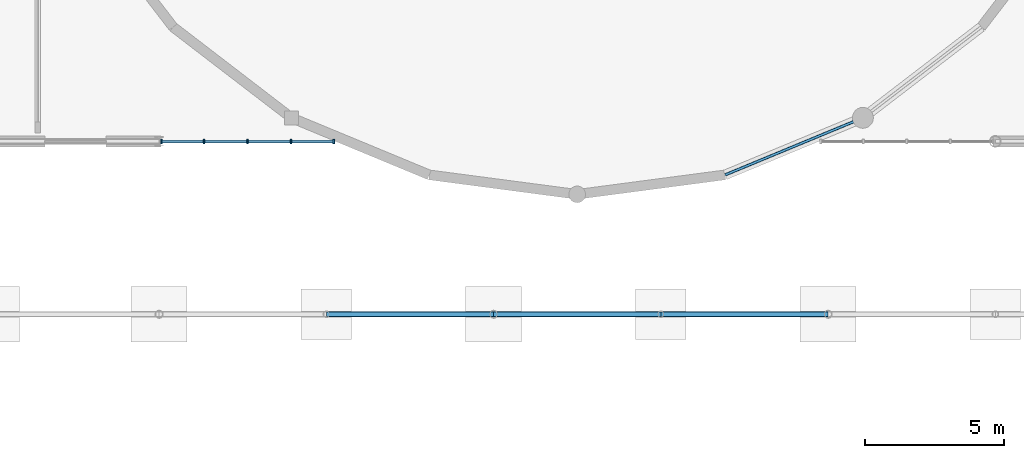
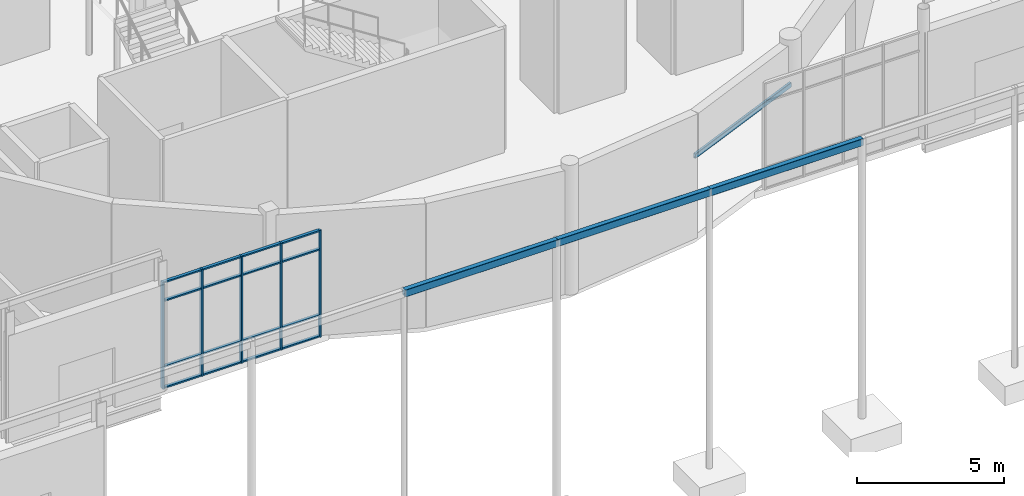
# One storey, part 35 of 98: 21 members, 4 beams, 1 element without a shape of its own.
"""IFC4 building model written with IfcOpenShell, lengths in metres."""

from ifc_helpers import new_model, si_unit, direction, frame, origin, origin_2d, place, context, subcontext, project, spatial, rectangle, hollow_rectangle, extrude, material, layer, layer_set, material_profile, profile_set, type_object, element, aggregate, save


model = new_model("IFC4")

# Units and contexts
model_context = context("Model", 3, precision=1e-05, world=origin(), true_north=direction((0.0, 1.0)))
body_context = subcontext(model_context, "Body", "Model", "MODEL_VIEW")
ifc_project = project(units=[si_unit("LENGTHUNIT", "METRE"), si_unit("AREAUNIT", "SQUARE_METRE"), si_unit("VOLUMEUNIT", "CUBIC_METRE"), si_unit("PLANEANGLEUNIT", "RADIAN"), si_unit("MASSUNIT", "GRAM", prefix="KILO")], contexts=[model_context])

# Site, building, storey
site_placement = place(None, origin())
site = spatial("IfcSite", under=ifc_project, at=site_placement, CompositionType="ELEMENT")
building_placement = place(site_placement, origin())
building = spatial("IfcBuilding", under=site, at=building_placement, Name="Mirzam Square Science Centre", CompositionType="ELEMENT")
storey_placement = place(building_placement, origin())
storey = spatial("IfcBuildingStorey", under=building, at=storey_placement, Name="L00", CompositionType="ELEMENT", Elevation=0.0)

# Curtain wall, members
ifc_material_1 = material(Name="Anodised Aluminium and Low-E Solar Glass", Category="aluminium")
ifc_layer = layer(ifc_material_1, 0.179931640625)
ifc_layer_set = layer_set([ifc_layer], Name="CW-LINK-A")
curtain_wall_type = type_object("IfcCurtainWallType", Name="CW-LINK-A", PredefinedType="USERDEFINED", material=ifc_layer_set)
curtain_wall_placement = place(storey_placement, origin())
curtain_wall = element("IfcCurtainWall", 1, at=curtain_wall_placement, inside=storey, type_object=curtain_wall_type, Name="L00 unitised curtain wall 47", ObjectType="UNITISED CURTAIN WALL", PredefinedType="USERDEFINED")
ifc_material_2 = material(Name="Anodised Architectural Aluminium 6063-T6", Category="aluminium")
ifc_material_profile_1 = material_profile(ifc_material_2, rectangle(XDim=0.06005859375, YDim=0.159912109375, at=origin_2d()), Name="ALU-MULL-160x60x4")
ifc_profile_set_1 = profile_set([ifc_material_profile_1], Name="Anodised Architectural Aluminium 6063-T6")
member_type_1 = type_object("IfcMemberType", Name="CWM-160", PredefinedType="MULLION", material=ifc_profile_set_1)
member_1_placement = place(storey_placement, frame((66.0849609375, 43.39990234375, 0.0), z_axis=(0.0, 0.0, 1.0), x_axis=(1.0, 0.0, 0.0)))
member_1 = element("IfcMember", 2, at=member_1_placement, type_object=member_type_1, Name="CW-08 mullion 1", PredefinedType="MULLION", context=body_context, shape_type="SweptSolid", body=[
    extrude(rectangle(XDim=0.06005859375, YDim=0.159912109375, at=origin_2d()), origin(), (0.0, 0.0, 1.0), 4.43994140625),
])
member_2_placement = place(storey_placement, frame((67.614990234375, 43.39990234375, 0.0), z_axis=(0.0, 0.0, 1.0), x_axis=(1.0, 0.0, 0.0)))
member_2 = element("IfcMember", 3, at=member_2_placement, type_object=member_type_1, Name="CW-08 mullion 2", PredefinedType="MULLION", context=body_context, shape_type="SweptSolid", body=[
    extrude(rectangle(XDim=0.06005859375, YDim=0.159912109375, at=origin_2d()), origin(), (0.0, 0.0, 1.0), 4.43994140625),
])
member_3_placement = place(storey_placement, frame((69.175048828125, 43.39990234375, 0.0), z_axis=(0.0, 0.0, 1.0), x_axis=(1.0, 0.0, 0.0)))
member_3 = element("IfcMember", 4, at=member_3_placement, type_object=member_type_1, Name="CW-08 mullion 3", PredefinedType="MULLION", context=body_context, shape_type="SweptSolid", body=[
    extrude(rectangle(XDim=0.06005859375, YDim=0.159912109375, at=origin_2d()), origin(), (0.0, 0.0, 1.0), 4.43994140625),
])
member_4_placement = place(storey_placement, frame((70.735107421875, 43.39990234375, 0.0), z_axis=(0.0, 0.0, 1.0), x_axis=(1.0, 0.0, 0.0)))
member_4 = element("IfcMember", 5, at=member_4_placement, type_object=member_type_1, Name="CW-08 mullion 4", PredefinedType="MULLION", context=body_context, shape_type="SweptSolid", body=[
    extrude(rectangle(XDim=0.06005859375, YDim=0.159912109375, at=origin_2d()), origin(), (0.0, 0.0, 1.0), 4.43994140625),
])
member_5_placement = place(storey_placement, frame((72.264892578125, 43.39990234375, 0.0), z_axis=(0.0, 0.0, 1.0), x_axis=(1.0, 0.0, 0.0)))
member_5 = element("IfcMember", 6, at=member_5_placement, type_object=member_type_1, Name="CW-08 mullion 5", PredefinedType="MULLION", context=body_context, shape_type="SweptSolid", body=[
    extrude(rectangle(XDim=0.06005859375, YDim=0.159912109375, at=origin_2d()), origin(), (0.0, 0.0, 1.0), 4.43994140625),
])
ifc_material_profile_2 = material_profile(ifc_material_2, rectangle(XDim=0.1201171875, YDim=0.06005859375, at=origin_2d()), Name="ALU-TRAN-120x60x4")
ifc_profile_set_2 = profile_set([ifc_material_profile_2], Name="Anodised Architectural Aluminium 6063-T6")
member_type_2 = type_object("IfcMemberType", Name="CWT-120", PredefinedType="USERDEFINED", material=ifc_profile_set_2)
member_6_placement = place(storey_placement, frame((66.114990234375, 43.39990234375, 0.030029296875), z_axis=(1.0, 0.0, 0.0), x_axis=(0.0, 1.0, 0.0)))
member_6 = element("IfcMember", 7, at=member_6_placement, type_object=member_type_2, Name="CW-08 transom 1.1", ObjectType="TRANSOM", PredefinedType="USERDEFINED", context=body_context, shape_type="SweptSolid", body=[
    extrude(rectangle(XDim=0.1201171875, YDim=0.06005859375, at=origin_2d()), origin(), (0.0, 0.0, 1.0), 1.469970703125),
])
member_7_placement = place(storey_placement, frame((66.114990234375, 43.39990234375, 0.89990234375), z_axis=(1.0, 0.0, 0.0), x_axis=(0.0, 1.0, 0.0)))
member_7 = element("IfcMember", 8, at=member_7_placement, type_object=member_type_2, Name="CW-08 transom 1.2", ObjectType="TRANSOM", PredefinedType="USERDEFINED", context=body_context, shape_type="SweptSolid", body=[
    extrude(rectangle(XDim=0.1201171875, YDim=0.06005859375, at=origin_2d()), origin(), (0.0, 0.0, 1.0), 1.469970703125),
])
member_8_placement = place(storey_placement, frame((66.114990234375, 43.39990234375, 3.639892578125), z_axis=(1.0, 0.0, 0.0), x_axis=(0.0, 1.0, 0.0)))
member_8 = element("IfcMember", 9, at=member_8_placement, type_object=member_type_2, Name="CW-08 transom 1.3", ObjectType="TRANSOM", PredefinedType="USERDEFINED", context=body_context, shape_type="SweptSolid", body=[
    extrude(rectangle(XDim=0.1201171875, YDim=0.06005859375, at=origin_2d()), origin(), (0.0, 0.0, 1.0), 1.469970703125),
])
member_9_placement = place(storey_placement, frame((66.114990234375, 43.39990234375, 4.409912109375), z_axis=(1.0, 0.0, 0.0), x_axis=(0.0, 1.0, 0.0)))
member_9 = element("IfcMember", 10, at=member_9_placement, type_object=member_type_2, Name="CW-08 transom 1.4", ObjectType="TRANSOM", PredefinedType="USERDEFINED", context=body_context, shape_type="SweptSolid", body=[
    extrude(rectangle(XDim=0.1201171875, YDim=0.06005859375, at=origin_2d()), origin(), (0.0, 0.0, 1.0), 1.469970703125),
])
member_10_placement = place(storey_placement, frame((67.64501953125, 43.39990234375, 0.030029296875), z_axis=(1.0, 0.0, 0.0), x_axis=(0.0, 1.0, 0.0)))
member_10 = element("IfcMember", 11, at=member_10_placement, type_object=member_type_2, Name="CW-08 transom 2.1", ObjectType="TRANSOM", PredefinedType="USERDEFINED", context=body_context, shape_type="SweptSolid", body=[
    extrude(rectangle(XDim=0.1201171875, YDim=0.06005859375, at=origin_2d()), origin(), (0.0, 0.0, 1.0), 1.5),
])
member_11_placement = place(storey_placement, frame((67.64501953125, 43.39990234375, 0.89990234375), z_axis=(1.0, 0.0, 0.0), x_axis=(0.0, 1.0, 0.0)))
member_11 = element("IfcMember", 12, at=member_11_placement, type_object=member_type_2, Name="CW-08 transom 2.2", ObjectType="TRANSOM", PredefinedType="USERDEFINED", context=body_context, shape_type="SweptSolid", body=[
    extrude(rectangle(XDim=0.1201171875, YDim=0.06005859375, at=origin_2d()), origin(), (0.0, 0.0, 1.0), 1.5),
])
member_12_placement = place(storey_placement, frame((67.64501953125, 43.39990234375, 3.639892578125), z_axis=(1.0, 0.0, 0.0), x_axis=(0.0, 1.0, 0.0)))
member_12 = element("IfcMember", 13, at=member_12_placement, type_object=member_type_2, Name="CW-08 transom 2.3", ObjectType="TRANSOM", PredefinedType="USERDEFINED", context=body_context, shape_type="SweptSolid", body=[
    extrude(rectangle(XDim=0.1201171875, YDim=0.06005859375, at=origin_2d()), origin(), (0.0, 0.0, 1.0), 1.5),
])
member_13_placement = place(storey_placement, frame((67.64501953125, 43.39990234375, 4.409912109375), z_axis=(1.0, 0.0, 0.0), x_axis=(0.0, 1.0, 0.0)))
member_13 = element("IfcMember", 14, at=member_13_placement, type_object=member_type_2, Name="CW-08 transom 2.4", ObjectType="TRANSOM", PredefinedType="USERDEFINED", context=body_context, shape_type="SweptSolid", body=[
    extrude(rectangle(XDim=0.1201171875, YDim=0.06005859375, at=origin_2d()), origin(), (0.0, 0.0, 1.0), 1.5),
])
member_14_placement = place(storey_placement, frame((69.205078125, 43.39990234375, 0.030029296875), z_axis=(1.0, 0.0, 0.0), x_axis=(0.0, 1.0, 0.0)))
member_14 = element("IfcMember", 15, at=member_14_placement, type_object=member_type_2, Name="CW-08 transom 3.1", ObjectType="TRANSOM", PredefinedType="USERDEFINED", context=body_context, shape_type="SweptSolid", body=[
    extrude(rectangle(XDim=0.1201171875, YDim=0.06005859375, at=origin_2d()), origin(), (0.0, 0.0, 1.0), 1.5),
])
member_15_placement = place(storey_placement, frame((69.205078125, 43.39990234375, 0.89990234375), z_axis=(1.0, 0.0, 0.0), x_axis=(0.0, 1.0, 0.0)))
member_15 = element("IfcMember", 16, at=member_15_placement, type_object=member_type_2, Name="CW-08 transom 3.2", ObjectType="TRANSOM", PredefinedType="USERDEFINED", context=body_context, shape_type="SweptSolid", body=[
    extrude(rectangle(XDim=0.1201171875, YDim=0.06005859375, at=origin_2d()), origin(), (0.0, 0.0, 1.0), 1.5),
])
member_16_placement = place(storey_placement, frame((69.205078125, 43.39990234375, 3.639892578125), z_axis=(1.0, 0.0, 0.0), x_axis=(0.0, 1.0, 0.0)))
member_16 = element("IfcMember", 17, at=member_16_placement, type_object=member_type_2, Name="CW-08 transom 3.3", ObjectType="TRANSOM", PredefinedType="USERDEFINED", context=body_context, shape_type="SweptSolid", body=[
    extrude(rectangle(XDim=0.1201171875, YDim=0.06005859375, at=origin_2d()), origin(), (0.0, 0.0, 1.0), 1.5),
])
member_17_placement = place(storey_placement, frame((69.205078125, 43.39990234375, 4.409912109375), z_axis=(1.0, 0.0, 0.0), x_axis=(0.0, 1.0, 0.0)))
member_17 = element("IfcMember", 18, at=member_17_placement, type_object=member_type_2, Name="CW-08 transom 3.4", ObjectType="TRANSOM", PredefinedType="USERDEFINED", context=body_context, shape_type="SweptSolid", body=[
    extrude(rectangle(XDim=0.1201171875, YDim=0.06005859375, at=origin_2d()), origin(), (0.0, 0.0, 1.0), 1.5),
])
member_18_placement = place(storey_placement, frame((70.764892578125, 43.39990234375, 0.030029296875), z_axis=(1.0, 0.0, 0.0), x_axis=(0.0, 1.0, 0.0)))
member_18 = element("IfcMember", 19, at=member_18_placement, type_object=member_type_2, Name="CW-08 transom 4.1", ObjectType="TRANSOM", PredefinedType="USERDEFINED", context=body_context, shape_type="SweptSolid", body=[
    extrude(rectangle(XDim=0.1201171875, YDim=0.06005859375, at=origin_2d()), origin(), (0.0, 0.0, 1.0), 1.47021484375),
])
member_19_placement = place(storey_placement, frame((70.764892578125, 43.39990234375, 0.89990234375), z_axis=(1.0, 0.0, 0.0), x_axis=(0.0, 1.0, 0.0)))
member_19 = element("IfcMember", 20, at=member_19_placement, type_object=member_type_2, Name="CW-08 transom 4.2", ObjectType="TRANSOM", PredefinedType="USERDEFINED", context=body_context, shape_type="SweptSolid", body=[
    extrude(rectangle(XDim=0.1201171875, YDim=0.06005859375, at=origin_2d()), origin(), (0.0, 0.0, 1.0), 1.47021484375),
])
member_20_placement = place(storey_placement, frame((70.764892578125, 43.39990234375, 3.639892578125), z_axis=(1.0, 0.0, 0.0), x_axis=(0.0, 1.0, 0.0)))
member_20 = element("IfcMember", 21, at=member_20_placement, type_object=member_type_2, Name="CW-08 transom 4.3", ObjectType="TRANSOM", PredefinedType="USERDEFINED", context=body_context, shape_type="SweptSolid", body=[
    extrude(rectangle(XDim=0.1201171875, YDim=0.06005859375, at=origin_2d()), origin(), (0.0, 0.0, 1.0), 1.47021484375),
])
member_21_placement = place(storey_placement, frame((70.764892578125, 43.39990234375, 4.409912109375), z_axis=(1.0, 0.0, 0.0), x_axis=(0.0, 1.0, 0.0)))
member_21 = element("IfcMember", 22, at=member_21_placement, type_object=member_type_2, Name="CW-08 transom 4.4", ObjectType="TRANSOM", PredefinedType="USERDEFINED", context=body_context, shape_type="SweptSolid", body=[
    extrude(rectangle(XDim=0.1201171875, YDim=0.06005859375, at=origin_2d()), origin(), (0.0, 0.0, 1.0), 1.47021484375),
])
aggregate(curtain_wall, [member_1, member_2, member_3, member_4, member_5, member_6, member_7, member_8, member_9, member_10, member_11, member_12, member_13, member_14, member_15, member_16, member_17, member_18, member_19, member_20, member_21])

# Beams
ifc_material_3 = material(Name="Steel S355", Category="steel")
ifc_material_profile_3 = material_profile(ifc_material_3, hollow_rectangle(XDim=0.10009765625, YDim=0.199951171875, WallThickness=0.008056640625, InnerFilletRadius=0.008056640625, OuterFilletRadius=0.01611328125, at=origin_2d()), Name="200x100x8.0RHS")
ifc_profile_set_3 = profile_set([ifc_material_profile_3], Name="Steel S355")
beam_type_1 = type_object("IfcBeamType", Name="LN-RHS200", PredefinedType="LINTEL", material=ifc_profile_set_3)
beam_placement = place(storey_placement, frame((86.305908203125, 42.198486328125, 3.300048828125), z_axis=(0.923867255172, 0.382713071139, 0.0), x_axis=(-0.382713071139, 0.923867255172, 0.0)))
element("IfcBeam", 23, at=beam_placement, inside=storey, type_object=beam_type_1, Name="Drum portal lintel 20", PredefinedType="LINTEL", context=body_context, shape_type="SweptSolid", body=[
    extrude(hollow_rectangle(XDim=0.10009765625, YDim=0.199951171875, WallThickness=0.008056640625, InnerFilletRadius=0.008056640625, OuterFilletRadius=0.01611328125, at=origin_2d()), origin(), (0.0, 0.0, 1.0), 5.3515625),
])
ifc_material_profile_4 = material_profile(ifc_material_3, hollow_rectangle(XDim=0.199951171875, YDim=0.300048828125, WallThickness=0.010009765625, InnerFilletRadius=0.010009765625, OuterFilletRadius=0.02001953125, at=origin_2d()), Name="300x200x10.0RHS")
ifc_profile_set_4 = profile_set([ifc_material_profile_4], Name="Steel S355")
beam_type_2 = type_object("IfcBeamType", Name="SP-RHS300", PredefinedType="SPANDREL", material=ifc_profile_set_4)
for number, where, z_axis, x_axis, name in (
    (24, (72.0, 37.199951171875, 5.669921875), (1.0, 0.0, 0.0), (0.0, 1.0, 0.0), "Square colonnade beam 13"),
    (25, (78.0, 37.199951171875, 5.669921875), (1.0, 0.0, 0.0), (0.0, 1.0, 0.0), "Square colonnade beam 14"),
    (26, (84.0, 37.199951171875, 5.669921875), (1.0, 0.0, 0.0), (0.0, 1.0, 0.0), "Square colonnade beam 15"),
):
    element("IfcBeam", number, at=place(storey_placement, frame(where, z_axis=z_axis, x_axis=x_axis)), inside=storey, type_object=beam_type_2, Name=name, PredefinedType="SPANDREL", context=body_context, shape_type="SweptSolid", body=[
        extrude(hollow_rectangle(XDim=0.199951171875, YDim=0.300048828125, WallThickness=0.010009765625, InnerFilletRadius=0.010009765625, OuterFilletRadius=0.02001953125, at=origin_2d()), origin(), (0.0, 0.0, 1.0), 6.0),
    ])

save(model, "model.ifc")
